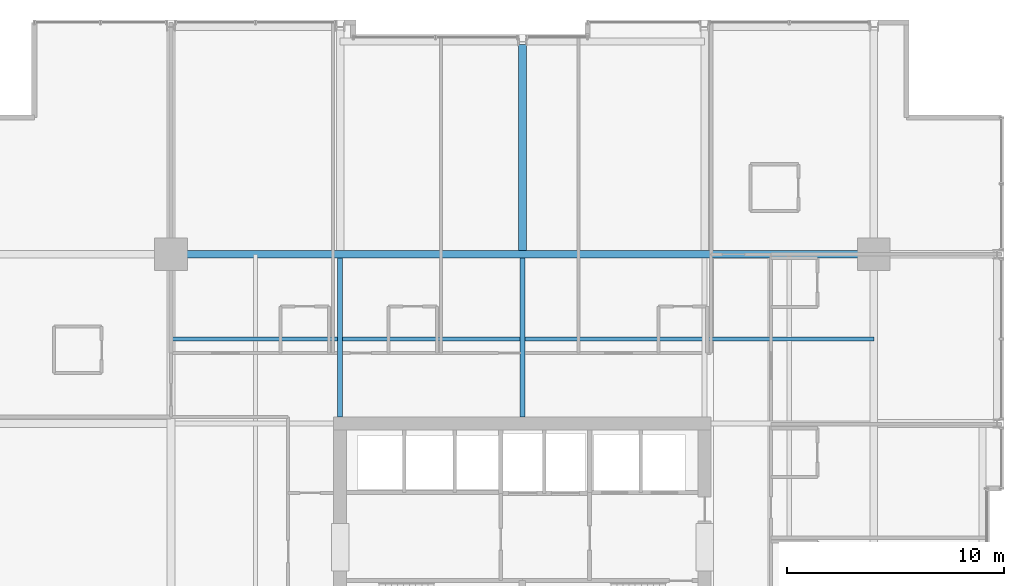
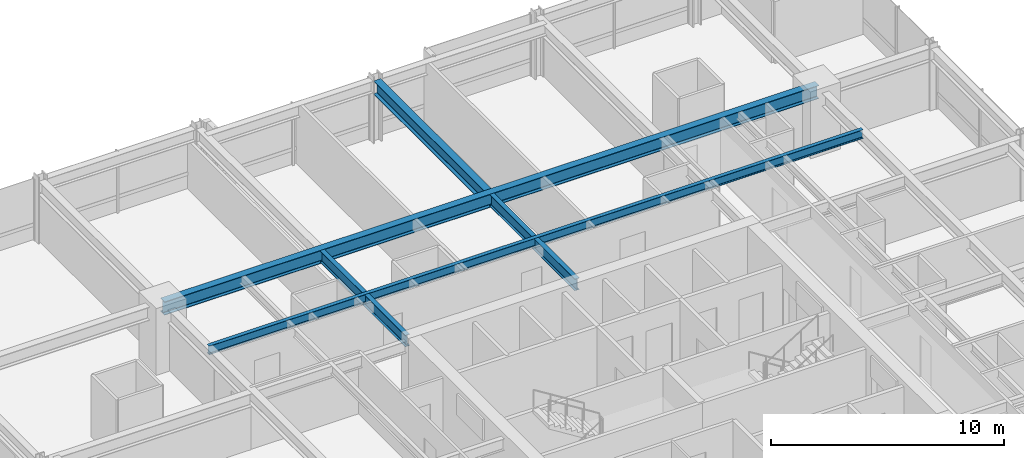
# One storey, part 19 of 35: 5 beams.
"""IFC4 building model written with IfcOpenShell, lengths in metres."""

from ifc_helpers import new_model, si_unit, direction, frame, origin, origin_2d, place, context, subcontext, project, spatial, i_section, extrude, material, material_profile, profile_set, type_object, element, save


model = new_model("IFC4")

# Units and contexts
model_context = context("Model", 3, precision=1e-05, world=origin(), true_north=direction((0.0, 1.0)))
body_context = subcontext(model_context, "Body", "Model", "MODEL_VIEW")
ifc_project = project(units=[si_unit("LENGTHUNIT", "METRE"), si_unit("AREAUNIT", "SQUARE_METRE"), si_unit("VOLUMEUNIT", "CUBIC_METRE"), si_unit("PLANEANGLEUNIT", "RADIAN"), si_unit("MASSUNIT", "GRAM", prefix="KILO")], contexts=[model_context])

# Site, building, storey
site_placement = place(None, origin())
site = spatial("IfcSite", under=ifc_project, at=site_placement, CompositionType="ELEMENT")
building_placement = place(site_placement, origin())
building = spatial("IfcBuilding", under=site, at=building_placement, Name="Drelvath Grand Hotel", CompositionType="ELEMENT")
storey_placement = place(building_placement, frame((0.0, 0.0, 123.300048828125)))
storey = spatial("IfcBuildingStorey", under=building, at=storey_placement, Name="L31", CompositionType="ELEMENT", Elevation=123.300048828125)

# Beams
ifc_material = material(Name="Steel ASTM A992 Gr 50", Category="steel")
ifc_material_profile_1 = material_profile(ifc_material, i_section(OverallWidth=0.19140625, OverallDepth=0.4599609375, WebThickness=0.010009765625, FlangeThickness=0.01611328125, FilletRadius=0.01611328125, at=origin_2d()), Name="W18X55")
ifc_profile_set_1 = profile_set([ifc_material_profile_1], Name="Steel ASTM A992 Gr 50")
beam_type_1 = type_object("IfcBeamType", Name="Composite Floor Joist W18X55", PredefinedType="JOIST", material=ifc_profile_set_1)
beam_1_placement = place(storey_placement, frame((-16.199951171875, 39.300048828125, 3.010009765625), z_axis=(1.0, 0.0, 0.0), x_axis=(0.0, 1.0, 0.0)))
element("IfcBeam", 1, at=beam_1_placement, inside=storey, type_object=beam_type_1, Name="L31 Floor Joist J2", PredefinedType="JOIST", context=body_context, shape_type="SweptSolid", body=[
    extrude(i_section(OverallWidth=0.19140625, OverallDepth=0.4599609375, WebThickness=0.010009765625, FlangeThickness=0.01611328125, FilletRadius=0.01611328125, at=origin_2d()), origin(), (0.0, 0.0, 1.0), 32.39990234375),
])
ifc_material_profile_2 = material_profile(ifc_material, i_section(OverallWidth=0.228271484375, OverallDepth=0.607666015625, WebThickness=0.01123046875, FlangeThickness=0.017333984375, FilletRadius=0.02001953125, at=origin_2d()), Name="W24X76")
ifc_profile_set_2 = profile_set([ifc_material_profile_2], Name="Steel ASTM A992 Gr 50")
beam_type_2 = type_object("IfcBeamType", Name="Primary Floor Girder W24X76", PredefinedType="BEAM", material=ifc_profile_set_2)
for number, where, z_axis, x_axis, name in (
    (2, (-8.39990234375, 35.699951171875, 2.93603515625), (0.0, 1.0, 0.0), (-1.0, 0.0, 0.0), "L31 North Core Tie 4"),
    (3, (0.0, 35.699951171875, 2.93603515625), (0.0, 1.0, 0.0), (-1.0, 0.0, 0.0), "L31 North Core Tie 5"),
):
    element("IfcBeam", number, at=place(storey_placement, frame(where, z_axis=z_axis, x_axis=x_axis)), inside=storey, type_object=beam_type_2, Name=name, PredefinedType="BEAM", context=body_context, shape_type="SweptSolid", body=[
        extrude(i_section(OverallWidth=0.228271484375, OverallDepth=0.607666015625, WebThickness=0.01123046875, FlangeThickness=0.017333984375, FilletRadius=0.02001953125, at=origin_2d()), origin(), (0.0, 0.0, 1.0), 7.32275390625),
    ])
ifc_material_profile_3 = material_profile(ifc_material, i_section(OverallWidth=0.354736328125, OverallDepth=0.695556640625, WebThickness=0.015380859375, FlangeThickness=0.025146484375, FilletRadius=0.02392578125, at=origin_2d()), Name="W27X146")
ifc_profile_set_3 = profile_set([ifc_material_profile_3], Name="Steel ASTM A992 Gr 50")
beam_type_3 = type_object("IfcBeamType", Name="Primary Floor Girder W27X146", PredefinedType="BEAM", material=ifc_profile_set_3)
beam_2_placement = place(storey_placement, frame((-16.199951171875, 43.199951171875, 2.892333984375), z_axis=(1.0, 0.0, 0.0), x_axis=(0.0, 1.0, 0.0)))
element("IfcBeam", 4, at=beam_2_placement, inside=storey, type_object=beam_type_3, Name="L31 Mega Ring Girder North", PredefinedType="BEAM", context=body_context, shape_type="SweptSolid", body=[
    extrude(i_section(OverallWidth=0.354736328125, OverallDepth=0.695556640625, WebThickness=0.015380859375, FlangeThickness=0.025146484375, FilletRadius=0.02392578125, at=origin_2d()), origin(), (0.0, 0.0, 1.0), 32.39990234375),
])
beam_3_placement = place(storey_placement, frame((0.0, 43.37744140625, 2.892333984375), z_axis=(0.0, 1.0, 0.0), x_axis=(-1.0, 0.0, 0.0)))
element("IfcBeam", 5, at=beam_3_placement, inside=storey, type_object=beam_type_3, Name="L31 North Wing Girder 5", PredefinedType="BEAM", context=body_context, shape_type="SweptSolid", body=[
    extrude(i_section(OverallWidth=0.354736328125, OverallDepth=0.695556640625, WebThickness=0.015380859375, FlangeThickness=0.025146484375, FilletRadius=0.02392578125, at=origin_2d()), origin(), (0.0, 0.0, 1.0), 9.482666015625),
])

save(model, "model.ifc")
